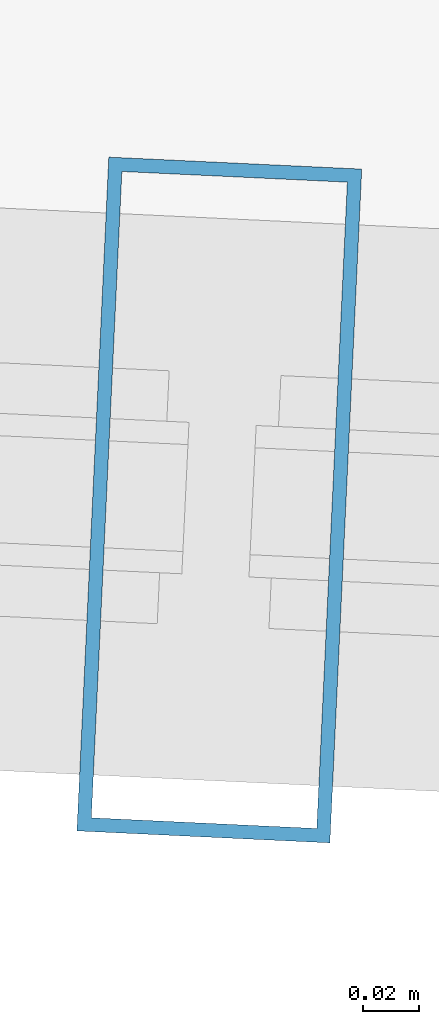
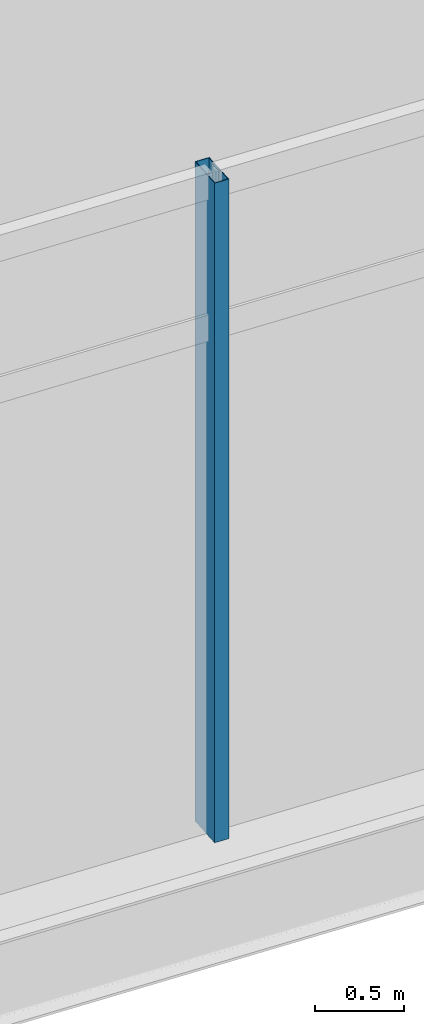
# One storey, part 31 of 86: 1 member, 1 element without a shape of its own.
"""IFC4 building model written with IfcOpenShell, lengths in metres."""

from ifc_helpers import new_model, si_unit, direction, frame, origin, origin_2d, place, context, subcontext, project, spatial, hollow_rectangle, extrude, material, layer, layer_set, material_profile, profile_set, type_object, element, aggregate, save


model = new_model("IFC4")

# Units and contexts
model_context = context("Model", 3, precision=1e-05, world=origin(), true_north=direction((0.0, 1.0)))
body_context = subcontext(model_context, "Body", "Model", "MODEL_VIEW")
ifc_project = project(units=[si_unit("LENGTHUNIT", "METRE"), si_unit("AREAUNIT", "SQUARE_METRE"), si_unit("VOLUMEUNIT", "CUBIC_METRE"), si_unit("PLANEANGLEUNIT", "RADIAN"), si_unit("MASSUNIT", "GRAM", prefix="KILO")], contexts=[model_context])

# Site, building, storey
site_placement = place(None, origin())
site = spatial("IfcSite", under=ifc_project, at=site_placement, CompositionType="ELEMENT")
building_placement = place(site_placement, origin())
building = spatial("IfcBuilding", under=site, at=building_placement, Name="Kazemori Nagisa Stadium", CompositionType="ELEMENT")
storey_placement = place(building_placement, frame((0.0, 0.0, 31.280029296875)))
storey = spatial("IfcBuildingStorey", under=building, at=storey_placement, Name="L06", CompositionType="ELEMENT", Elevation=31.280029296875)

# Curtain wall, member
ifc_material_1 = material(Name="Anodised aluminium 6063-T5", Category="aluminium")
ifc_layer = layer(ifc_material_1, 0.239990234375, Name="Anodised aluminium 6063-T5", Category="aluminium")
ifc_layer_set = layer_set([ifc_layer], Name="Anodised aluminium 6063-T5")
curtain_wall_type = type_object("IfcCurtainWallType", Name="CW_L06R3_105", PredefinedType="USERDEFINED", material=ifc_layer_set)
curtain_wall_placement = place(storey_placement, origin())
curtain_wall = element("IfcCurtainWall", 1, at=curtain_wall_placement, inside=storey, type_object=curtain_wall_type, Name="Unitised curtain wall CW-L06R3-105 L06", ObjectType="UNITISED CURTAIN WALL", PredefinedType="USERDEFINED")
ifc_material_2 = material(Name="Aluminium 6063-T5 anodised", Category="aluminium")
ifc_material_profile = material_profile(ifc_material_2, hollow_rectangle(XDim=0.090087890625, YDim=0.239990234375, WallThickness=0.0048828125, at=origin_2d()), Name="ALU-MULL-90x240x5")
ifc_profile_set = profile_set([ifc_material_profile], Name="Aluminium 6063-T5 anodised")
member_type = type_object("IfcMemberType", Name="Mullion_M03", PredefinedType="MULLION", material=ifc_profile_set)
member_placement = place(storey_placement, frame((108.793212890625, 16.671630859375, 0.0), z_axis=(0.0, 0.0, 1.0), x_axis=(0.998884022476, -0.047230388971, 0.0)))
member = element("IfcMember", 2, at=member_placement, type_object=member_type, Name="Curtain wall mullion CW-L06R3-105-M2", PredefinedType="MULLION", context=body_context, shape_type="SweptSolid", body=[
    extrude(hollow_rectangle(XDim=0.090087890625, YDim=0.239990234375, WallThickness=0.0048828125, at=origin_2d()), origin(), (0.0, 0.0, 1.0), 4.510009765625),
])
aggregate(curtain_wall, [member])

save(model, "model.ifc")
